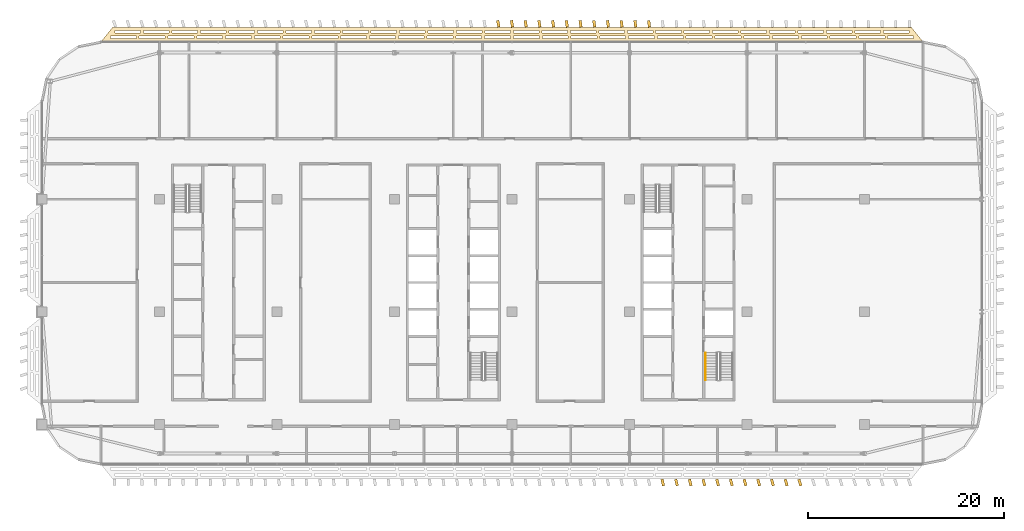
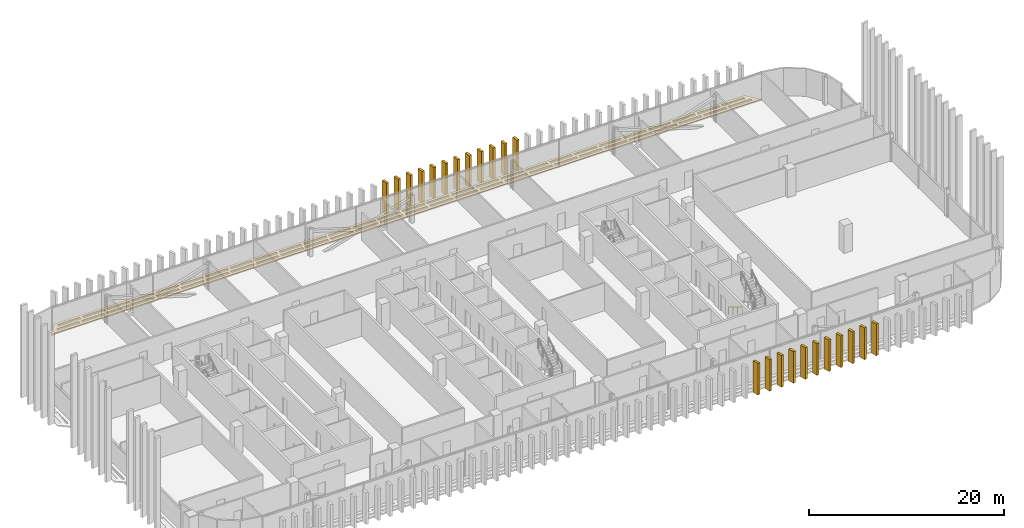
# One storey, part 29 of 32: 24 coverings, 1 railing.
"""IFC4 building model written with IfcOpenShell, lengths in metres."""

from ifc_helpers import new_model, si_unit, direction, frame, origin, origin_2d, place, context, subcontext, project, spatial, polyline, rectangle, circle, outline, extrude, material, layer, layer_set, type_object, element, save


model = new_model("IFC4")

# Units and contexts
model_context = context("Model", 3, precision=1e-05, world=origin(), true_north=direction((0.0, 1.0)))
body_context = subcontext(model_context, "Body", "Model", "MODEL_VIEW")
ifc_project = project(units=[si_unit("LENGTHUNIT", "METRE"), si_unit("AREAUNIT", "SQUARE_METRE"), si_unit("VOLUMEUNIT", "CUBIC_METRE"), si_unit("PLANEANGLEUNIT", "RADIAN"), si_unit("MASSUNIT", "GRAM", prefix="KILO")], contexts=[model_context])

# Site, building, storey
site_placement = place(None, origin())
site = spatial("IfcSite", under=ifc_project, at=site_placement, CompositionType="ELEMENT")
building_placement = place(site_placement, origin())
building = spatial("IfcBuilding", under=site, at=building_placement, Name="Mahtab Terrace Research Tower", CompositionType="ELEMENT")
storey_placement = place(building_placement, frame((0.0, 0.0, 243.800048828125)))
storey = spatial("IfcBuildingStorey", under=building, at=storey_placement, Name="L59", CompositionType="ELEMENT", Elevation=243.800048828125)

# Covering
ifc_material_1 = material(Name="Black anodised aluminium", Category="aluminium")
ifc_layer_1 = layer(ifc_material_1, 0.14990234375)
ifc_layer_set_1 = layer_set([ifc_layer_1], Name="Horizontal sunshade band")
covering_type_1 = type_object("IfcCoveringType", Name="Horizontal sunshade band", PredefinedType="CLADDING", material=ifc_layer_set_1)
covering_placement = place(storey_placement, frame((0.0, 0.0, -0.150146484375)))
element("IfcCovering", 1, at=covering_placement, inside=storey, type_object=covering_type_1, Name="Sunshade band L59 3", PredefinedType="CLADDING", context=body_context, shape_type="SweptSolid", body=[
    extrude(outline(polyline([(48.0, 27.555908203125), (-36.0, 27.555908203125), (-34.800048828125, 29.055908203125), (46.800048828125, 29.055908203125), (48.0, 27.555908203125)]), holes=[polyline([(47.02001953125, 27.906005859375), (44.37890625, 27.906005859375), (44.37890625, 28.156005859375), (47.02001953125, 28.156005859375), (47.02001953125, 27.906005859375)]), polyline([(44.0791015625, 27.906005859375), (41.43896484375, 27.906005859375), (41.43896484375, 28.156005859375), (44.0791015625, 28.156005859375), (44.0791015625, 27.906005859375)]), polyline([(41.138916015625, 27.906005859375), (38.498046875, 27.906005859375), (38.498046875, 28.156005859375), (41.138916015625, 28.156005859375), (41.138916015625, 27.906005859375)]), polyline([(38.197998046875, 27.906005859375), (35.556884765625, 27.906005859375), (35.556884765625, 28.156005859375), (38.197998046875, 28.156005859375), (38.197998046875, 27.906005859375)]), polyline([(35.257080078125, 27.906005859375), (32.615966796875, 27.906005859375), (32.615966796875, 28.156005859375), (35.257080078125, 28.156005859375), (35.257080078125, 27.906005859375)]), polyline([(32.31591796875, 27.906005859375), (29.676025390625, 27.906005859375), (29.676025390625, 28.156005859375), (32.31591796875, 28.156005859375), (32.31591796875, 27.906005859375)]), polyline([(29.3759765625, 27.906005859375), (26.735107421875, 27.906005859375), (26.735107421875, 28.156005859375), (29.3759765625, 28.156005859375), (29.3759765625, 27.906005859375)]), polyline([(26.43505859375, 27.906005859375), (23.7939453125, 27.906005859375), (23.7939453125, 28.156005859375), (26.43505859375, 28.156005859375), (26.43505859375, 27.906005859375)]), polyline([(23.493896484375, 27.906005859375), (20.85400390625, 27.906005859375), (20.85400390625, 28.156005859375), (23.493896484375, 28.156005859375), (23.493896484375, 27.906005859375)]), polyline([(20.553955078125, 27.906005859375), (17.9130859375, 27.906005859375), (17.9130859375, 28.156005859375), (20.553955078125, 28.156005859375), (20.553955078125, 27.906005859375)]), polyline([(17.613037109375, 27.906005859375), (14.971923828125, 27.906005859375), (14.971923828125, 28.156005859375), (17.613037109375, 28.156005859375), (17.613037109375, 27.906005859375)]), polyline([(14.672119140625, 27.906005859375), (12.031005859375, 27.906005859375), (12.031005859375, 28.156005859375), (14.672119140625, 28.156005859375), (14.672119140625, 27.906005859375)]), polyline([(11.73095703125, 27.906005859375), (9.091064453125, 27.906005859375), (9.091064453125, 28.156005859375), (11.73095703125, 28.156005859375), (11.73095703125, 27.906005859375)]), polyline([(8.791015625, 27.906005859375), (6.14990234375, 27.906005859375), (6.14990234375, 28.156005859375), (8.791015625, 28.156005859375), (8.791015625, 27.906005859375)]), polyline([(5.85009765625, 27.906005859375), (3.208984375, 27.906005859375), (3.208984375, 28.156005859375), (5.85009765625, 28.156005859375), (5.85009765625, 27.906005859375)]), polyline([(2.908935546875, 27.906005859375), (0.26904296875, 27.906005859375), (0.26904296875, 28.156005859375), (2.908935546875, 28.156005859375), (2.908935546875, 27.906005859375)]), polyline([(-0.031005859375, 27.906005859375), (-2.672119140625, 27.906005859375), (-2.672119140625, 28.156005859375), (-0.031005859375, 28.156005859375), (-0.031005859375, 27.906005859375)]), polyline([(-2.971923828125, 27.906005859375), (-5.613037109375, 27.906005859375), (-5.613037109375, 28.156005859375), (-2.971923828125, 28.156005859375), (-2.971923828125, 27.906005859375)]), polyline([(-5.9130859375, 27.906005859375), (-8.553955078125, 27.906005859375), (-8.553955078125, 28.156005859375), (-5.9130859375, 28.156005859375), (-5.9130859375, 27.906005859375)]), polyline([(-8.85400390625, 27.906005859375), (-11.493896484375, 27.906005859375), (-11.493896484375, 28.156005859375), (-8.85400390625, 28.156005859375), (-8.85400390625, 27.906005859375)]), polyline([(-11.7939453125, 27.906005859375), (-14.43505859375, 27.906005859375), (-14.43505859375, 28.156005859375), (-11.7939453125, 28.156005859375), (-11.7939453125, 27.906005859375)]), polyline([(-14.735107421875, 27.906005859375), (-17.3759765625, 27.906005859375), (-17.3759765625, 28.156005859375), (-14.735107421875, 28.156005859375), (-14.735107421875, 27.906005859375)]), polyline([(-17.676025390625, 27.906005859375), (-20.31591796875, 27.906005859375), (-20.31591796875, 28.156005859375), (-17.676025390625, 28.156005859375), (-17.676025390625, 27.906005859375)]), polyline([(-20.615966796875, 27.906005859375), (-23.257080078125, 27.906005859375), (-23.257080078125, 28.156005859375), (-20.615966796875, 28.156005859375), (-20.615966796875, 27.906005859375)]), polyline([(-23.556884765625, 27.906005859375), (-26.197998046875, 27.906005859375), (-26.197998046875, 28.156005859375), (-23.556884765625, 28.156005859375), (-23.556884765625, 27.906005859375)]), polyline([(-26.498046875, 27.906005859375), (-29.138916015625, 27.906005859375), (-29.138916015625, 28.156005859375), (-26.498046875, 28.156005859375), (-26.498046875, 27.906005859375)]), polyline([(-29.43896484375, 27.906005859375), (-32.0791015625, 27.906005859375), (-32.0791015625, 28.156005859375), (-29.43896484375, 28.156005859375), (-29.43896484375, 27.906005859375)]), polyline([(-32.37890625, 27.906005859375), (-35.02001953125, 27.906005859375), (-35.02001953125, 28.156005859375), (-32.37890625, 28.156005859375), (-32.37890625, 27.906005859375)]), polyline([(46.5400390625, 28.506103515625), (43.93408203125, 28.506103515625), (43.93408203125, 28.756103515625), (46.5400390625, 28.756103515625), (46.5400390625, 28.506103515625)]), polyline([(43.634033203125, 28.506103515625), (41.027099609375, 28.506103515625), (41.027099609375, 28.756103515625), (43.634033203125, 28.756103515625), (43.634033203125, 28.506103515625)]), polyline([(40.72705078125, 28.506103515625), (38.12109375, 28.506103515625), (38.12109375, 28.756103515625), (40.72705078125, 28.756103515625), (40.72705078125, 28.506103515625)]), polyline([(37.821044921875, 28.506103515625), (35.214111328125, 28.506103515625), (35.214111328125, 28.756103515625), (37.821044921875, 28.756103515625), (37.821044921875, 28.506103515625)]), polyline([(34.9140625, 28.506103515625), (32.30810546875, 28.506103515625), (32.30810546875, 28.756103515625), (34.9140625, 28.756103515625), (34.9140625, 28.506103515625)]), polyline([(32.008056640625, 28.506103515625), (29.40087890625, 28.506103515625), (29.40087890625, 28.756103515625), (32.008056640625, 28.756103515625), (32.008056640625, 28.506103515625)]), polyline([(29.10107421875, 28.506103515625), (26.4951171875, 28.506103515625), (26.4951171875, 28.756103515625), (29.10107421875, 28.756103515625), (29.10107421875, 28.506103515625)]), polyline([(26.195068359375, 28.506103515625), (23.589111328125, 28.506103515625), (23.589111328125, 28.756103515625), (26.195068359375, 28.756103515625), (26.195068359375, 28.506103515625)]), polyline([(23.2890625, 28.506103515625), (20.681884765625, 28.506103515625), (20.681884765625, 28.756103515625), (23.2890625, 28.756103515625), (23.2890625, 28.506103515625)]), polyline([(20.382080078125, 28.506103515625), (17.77587890625, 28.506103515625), (17.77587890625, 28.756103515625), (20.382080078125, 28.756103515625), (20.382080078125, 28.506103515625)]), polyline([(17.47607421875, 28.506103515625), (14.868896484375, 28.506103515625), (14.868896484375, 28.756103515625), (17.47607421875, 28.756103515625), (17.47607421875, 28.506103515625)]), polyline([(14.569091796875, 28.506103515625), (11.962890625, 28.506103515625), (11.962890625, 28.756103515625), (14.569091796875, 28.756103515625), (14.569091796875, 28.506103515625)]), polyline([(11.6630859375, 28.506103515625), (9.055908203125, 28.506103515625), (9.055908203125, 28.756103515625), (11.6630859375, 28.756103515625), (11.6630859375, 28.506103515625)]), polyline([(8.756103515625, 28.506103515625), (6.14990234375, 28.506103515625), (6.14990234375, 28.756103515625), (8.756103515625, 28.756103515625), (8.756103515625, 28.506103515625)]), polyline([(5.85009765625, 28.506103515625), (3.243896484375, 28.506103515625), (3.243896484375, 28.756103515625), (5.85009765625, 28.756103515625), (5.85009765625, 28.506103515625)]), polyline([(2.944091796875, 28.506103515625), (0.3369140625, 28.506103515625), (0.3369140625, 28.756103515625), (2.944091796875, 28.756103515625), (2.944091796875, 28.506103515625)]), polyline([(0.037109375, 28.506103515625), (-2.569091796875, 28.506103515625), (-2.569091796875, 28.756103515625), (0.037109375, 28.756103515625), (0.037109375, 28.506103515625)]), polyline([(-2.868896484375, 28.506103515625), (-5.47607421875, 28.506103515625), (-5.47607421875, 28.756103515625), (-2.868896484375, 28.756103515625), (-2.868896484375, 28.506103515625)]), polyline([(-5.77587890625, 28.506103515625), (-8.382080078125, 28.506103515625), (-8.382080078125, 28.756103515625), (-5.77587890625, 28.756103515625), (-5.77587890625, 28.506103515625)]), polyline([(-8.681884765625, 28.506103515625), (-11.2890625, 28.506103515625), (-11.2890625, 28.756103515625), (-8.681884765625, 28.756103515625), (-8.681884765625, 28.506103515625)]), polyline([(-11.589111328125, 28.506103515625), (-14.195068359375, 28.506103515625), (-14.195068359375, 28.756103515625), (-11.589111328125, 28.756103515625), (-11.589111328125, 28.506103515625)]), polyline([(-14.4951171875, 28.506103515625), (-17.10107421875, 28.506103515625), (-17.10107421875, 28.756103515625), (-14.4951171875, 28.756103515625), (-14.4951171875, 28.506103515625)]), polyline([(-17.40087890625, 28.506103515625), (-20.008056640625, 28.506103515625), (-20.008056640625, 28.756103515625), (-17.40087890625, 28.756103515625), (-17.40087890625, 28.506103515625)]), polyline([(-20.30810546875, 28.506103515625), (-22.9140625, 28.506103515625), (-22.9140625, 28.756103515625), (-20.30810546875, 28.756103515625), (-20.30810546875, 28.506103515625)]), polyline([(-23.214111328125, 28.506103515625), (-25.821044921875, 28.506103515625), (-25.821044921875, 28.756103515625), (-23.214111328125, 28.756103515625), (-23.214111328125, 28.506103515625)]), polyline([(-26.12109375, 28.506103515625), (-28.72705078125, 28.506103515625), (-28.72705078125, 28.756103515625), (-26.12109375, 28.756103515625), (-26.12109375, 28.506103515625)]), polyline([(-29.027099609375, 28.506103515625), (-31.634033203125, 28.506103515625), (-31.634033203125, 28.756103515625), (-29.027099609375, 28.756103515625), (-29.027099609375, 28.506103515625)]), polyline([(-31.93408203125, 28.506103515625), (-34.5400390625, 28.506103515625), (-34.5400390625, 28.756103515625), (-31.93408203125, 28.756103515625), (-31.93408203125, 28.506103515625)])]), origin(), (0.0, 0.0, 1.0), 0.150146484375),
])

# Railing
ifc_material_2 = material(Name="Stainless steel AISI 304", Category="steel")
railing_type = type_object("IfcRailingType", Name="Stair handrail 900", PredefinedType="HANDRAIL", material=ifc_material_2)
railing_placement = place(storey_placement, frame((25.75, -4.175048828125, 0.172607421875)))
element("IfcRailing", 2, at=railing_placement, inside=storey, type_object=railing_type, Name="L59 ST4 stair handrail 1", PredefinedType="HANDRAIL", context=body_context, shape_type="SweptSolid", body=[
    extrude(circle(Radius=0.02392578125, at=origin_2d()), frame((0.0, 0.0, 0.8759765625), z_axis=(0.0, -0.851089632645, 0.525020415988), x_axis=(1.0, 0.0, 0.0)), (0.0, 0.0, 1.0), 3.2900390625),
    extrude(circle(Radius=0.02099609375, at=origin_2d()), origin(), (0.0, 0.0, 1.0), 0.851806640625),
    extrude(circle(Radius=0.02099609375, at=origin_2d()), frame((0.0, -0.933349609375, 0.57568359375)), (0.0, 0.0, 1.0), 0.851806640625),
    extrude(circle(Radius=0.02099609375, at=origin_2d()), frame((0.0, -1.86669921875, 1.151611328125)), (0.0, 0.0, 1.0), 0.851806640625),
    extrude(circle(Radius=0.02099609375, at=origin_2d()), frame((0.0, -2.800048828125, 1.727294921875)), (0.0, 0.0, 1.0), 0.851806640625),
])

# Coverings
ifc_material_3 = material(Name="Bronze anodised aluminium", Category="aluminium")
ifc_layer_2 = layer(ifc_material_3, 0.1201171875)
ifc_layer_set_2 = layer_set([ifc_layer_2], Name="Vertical fin 700")
covering_type_2 = type_object("IfcCoveringType", Name="Vertical fin 700", PredefinedType="CLADDING", material=ifc_layer_set_2)
for number, where, z_axis, x_axis, name in (
    (3, (20.0, 29.419921875, -0.14990234375), (0.0, 0.0, 1.0), (-0.993238357741, -0.116092914131, 0.0), "Fin L59 N20"),
    (4, (18.60009765625, 29.42041015625, -0.14990234375), (0.0, 0.0, 1.0), (-0.992546151641, -0.121869343405, 0.0), "Fin L59 N21"),
    (5, (17.199951171875, 29.4208984375, -0.14990234375), (0.0, 0.0, 1.0), (-0.991820351542, -0.127641647855, 0.0), "Fin L59 N22"),
    (6, (15.800048828125, 29.421630859375, -0.14990234375), (0.0, 0.0, 1.0), (-0.991060982007, -0.133409632126, 0.0), "Fin L59 N23"),
    (7, (14.39990234375, 29.422119140625, -0.14990234375), (0.0, 0.0, 1.0), (-0.990268068742, -0.13917310096, 0.0), "Fin L59 N24"),
    (8, (13.0, 29.422607421875, -0.14990234375), (0.0, 0.0, 1.0), (-0.989441638582, -0.144931859301, 0.0), "Fin L59 N25"),
    (9, (11.60009765625, 29.423095703125, -0.14990234375), (0.0, 0.0, 1.0), (-0.988581719496, -0.150685712255, 0.0), "Fin L59 N26"),
    (10, (10.199951171875, 29.423583984375, -0.14990234375), (0.0, 0.0, 1.0), (-0.987688340595, -0.15643446504, 0.0), "Fin L59 N27"),
    (11, (8.800048828125, 29.424072265625, -0.14990234375), (0.0, 0.0, 1.0), (-0.986761532114, -0.1621779231, 0.0), "Fin L59 N28"),
    (12, (7.39990234375, 29.424560546875, -0.14990234375), (0.0, 0.0, 1.0), (-0.985801325417, -0.167915892057, 0.0), "Fin L59 N29"),
    (13, (6.0, 29.425048828125, -0.14990234375), (0.0, 0.0, 1.0), (-0.984807753012, -0.173648177667, 0.0), "Fin L59 N30"),
    (14, (4.60009765625, 29.425537109375, -0.14990234375), (0.0, 0.0, 1.0), (-0.983780848524, -0.179374585932, 0.0), "Fin L59 N31"),
    (15, (21.39990234375, -17.42919921875, -0.14990234375), (0.0, 0.0, 1.0), (0.97168674242, 0.236272881656, 0.0), "Fin L59 S41"),
    (16, (22.800048828125, -17.429443359375, -0.14990234375), (0.0, 0.0, 1.0), (0.970295726276, 0.2419218956, 0.0), "Fin L59 S42"),
    (17, (24.199951171875, -17.4296875, -0.14990234375), (0.0, 0.0, 1.0), (0.968871869227, 0.247562721386, 0.0), "Fin L59 S43"),
    (18, (25.60009765625, -17.429931640625, -0.14990234375), (0.0, 0.0, 1.0), (0.967415219461, 0.25319516811, 0.0), "Fin L59 S44"),
    (19, (27.0, -17.430419921875, -0.14990234375), (0.0, 0.0, 1.0), (0.965925826289, 0.258819045103, 0.0), "Fin L59 S45"),
    (20, (28.39990234375, -17.4306640625, -0.14990234375), (0.0, 0.0, 1.0), (0.964403740116, 0.264434162032, 0.0), "Fin L59 S46"),
    (21, (29.800048828125, -17.430908203125, -0.14990234375), (0.0, 0.0, 1.0), (0.962849012456, 0.270040328864, 0.0), "Fin L59 S47"),
    (22, (31.199951171875, -17.43115234375, -0.14990234375), (0.0, 0.0, 1.0), (0.961261695938, 0.275637355817, 0.0), "Fin L59 S48"),
    (23, (32.60009765625, -17.43115234375, -0.14990234375), (0.0, 0.0, 1.0), (0.959641844284, 0.28122505347, 0.0), "Fin L59 S49"),
    (24, (34.0, -17.431396484375, -0.14990234375), (0.0, 0.0, 1.0), (0.957989512314, 0.286803232717, 0.0), "Fin L59 S50"),
    (25, (35.39990234375, -17.431640625, -0.14990234375), (0.0, 0.0, 1.0), (0.956304755963, 0.292371704723, 0.0), "Fin L59 S51"),
):
    element("IfcCovering", number, at=place(storey_placement, frame(where, z_axis=z_axis, x_axis=x_axis)), inside=storey, type_object=covering_type_2, Name=name, PredefinedType="CLADDING", context=body_context, shape_type="SweptSolid", body=[
        extrude(rectangle(XDim=0.280029296875, YDim=0.699951171875, at=origin_2d()), origin(), (0.0, 0.0, 1.0), 3.949951171875),
    ])

save(model, "model.ifc")
